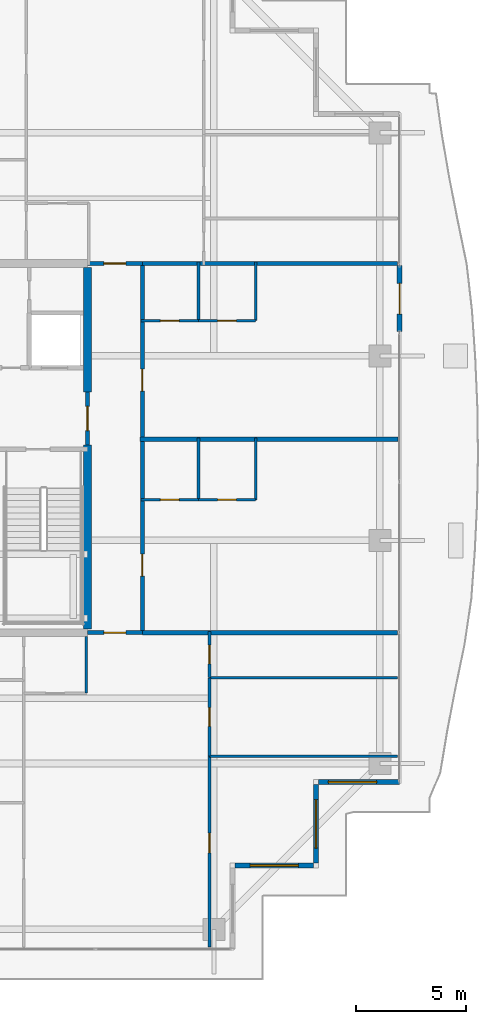
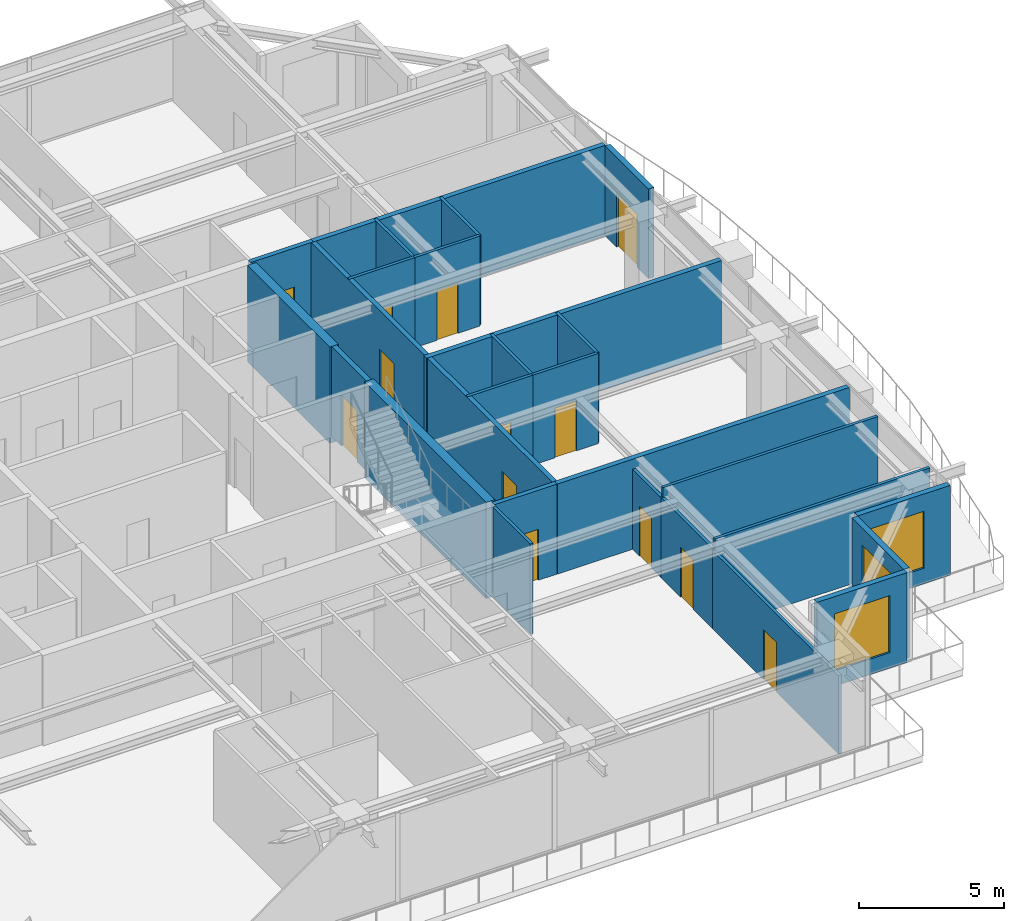
# One storey, part 30 of 39: 27 walls, 13 doors, 3 windows, 16 openings.
"""IFC4 building model written with IfcOpenShell, lengths in metres."""

from ifc_helpers import new_model, si_unit, direction, frame, frame_2d, origin, place, context, subcontext, project, spatial, rectangle, extrude, source, transform, mapped, material, layer, layer_set, type_object, element, fill, save


model = new_model("IFC4")

# Units and contexts
model_context = context("Model", 3, precision=1e-05, world=origin(), true_north=direction((0.0, 1.0)))
body_context = subcontext(model_context, "Body", "Model", "MODEL_VIEW")
ifc_project = project(units=[si_unit("LENGTHUNIT", "METRE"), si_unit("AREAUNIT", "SQUARE_METRE"), si_unit("VOLUMEUNIT", "CUBIC_METRE"), si_unit("PLANEANGLEUNIT", "RADIAN"), si_unit("MASSUNIT", "GRAM", prefix="KILO")], contexts=[model_context])

# Site, building, storey
site_placement = place(None, origin())
site = spatial("IfcSite", under=ifc_project, at=site_placement, CompositionType="ELEMENT")
building_placement = place(site_placement, origin())
building = spatial("IfcBuilding", under=site, at=building_placement, Name="Serunith Strait Residences", CompositionType="ELEMENT")
storey_placement = place(building_placement, frame((0.0, 0.0, 329.89990234375)))
storey = spatial("IfcBuildingStorey", under=building, at=storey_placement, Name="L82", CompositionType="ELEMENT", Elevation=329.89990234375)

# Wall, opening, window
ifc_material_1 = material(Name="Pale-Champagne Aluminium Insulated Panel", Category="aluminium")
ifc_layer_1 = layer(ifc_material_1, 0.219970703125, Name="Pale-Champagne Aluminium Insulated Panel")
ifc_layer_set_1 = layer_set([ifc_layer_1], Name="Pale-Champagne Aluminium Insulated Panel")
wall_type_1 = type_object("IfcWallType", Name="EW-ALUM-220", PredefinedType="ELEMENTEDWALL", material=ifc_layer_set_1)
wall_1_placement = place(storey_placement, frame((48.110107421875, 6.199951171875, 0.0), z_axis=(0.0, 0.0, 1.0), x_axis=(1.0, 0.0, 0.0)))
wall_1 = element("IfcWall", 1, at=wall_1_placement, inside=storey, type_object=wall_type_1, Name="L82 Girih Serrated Corner Wall 03", PredefinedType="ELEMENTEDWALL", context=body_context, shape_type="SweptSolid", body=[
    extrude(rectangle(XDim=3.579833984375, YDim=0.219970703125, at=frame_2d((1.7900390625, 0.0))), origin(), (0.0, 0.0, 1.0), 3.775146484375),
])
opening_1_placement = place(wall_1_placement, frame((0.68994140625, 0.0, 0.64990234375)))
opening_1 = element("IfcOpeningElement", 2, at=opening_1_placement, cuts=wall_1, Name="Opening W-06", PredefinedType="OPENING", context=body_context, shape_type="SweptSolid", body=[
    extrude(rectangle(XDim=2.199951171875, YDim=2.39990234375, at=frame_2d((1.10009765625, 1.199951171875))), frame((0.0, 0.1201171875, 0.0), z_axis=(0.0, -1.0, 0.0), x_axis=(1.0, 0.0, 0.0)), (0.0, 0.0, 1.0), 0.239990234375),
])
ifc_material_2 = material(Name="Crown Penthouse Low-E Operable Window Glass", Category="glass")
window_type = type_object("IfcWindowType", Name="WIN-C6", PartitioningType="TRIPLE_PANEL_VERTICAL", PredefinedType="WINDOW", material=ifc_material_2)
shared_shape_1 = source(origin(), body_context, "Body", "SweptSolid", [
    extrude(rectangle(XDim=2.199951171875, YDim=2.39990234375, at=frame_2d((1.10009765625, 1.199951171875))), frame((0.0, 0.030029296875, 0.0), z_axis=(0.0, -1.0, 0.0), x_axis=(1.0, 0.0, 0.0)), (0.0, 0.0, 1.0), 0.06005859375),
])
window_1_placement = place(opening_1_placement, origin())
window_1 = element("IfcWindow", 3, at=window_1_placement, inside=storey, type_object=window_type, Name="L82 Corner Operable Fritted Window 03", OverallHeight=2.39990234375, OverallWidth=2.199951171875, PartitioningType="SINGLE_PANEL", PredefinedType="WINDOW", context=body_context, shape_type="MappedRepresentation", body=[
    mapped(shared_shape_1, transform((0.0, 0.0, 0.0), scale=1.0)),
])
fill(opening_1, window_1)

wall_2_placement = place(storey_placement, frame((51.800048828125, 6.31005859375, 0.0), z_axis=(0.0, 0.0, 1.0), x_axis=(0.0, 1.0, 0.0)))
wall_2 = element("IfcWall", 4, at=wall_2_placement, inside=storey, type_object=wall_type_1, Name="L82 Girih Serrated Corner Wall 04", PredefinedType="ELEMENTEDWALL", context=body_context, shape_type="SweptSolid", body=[
    extrude(rectangle(XDim=3.579833984375, YDim=0.219970703125, at=frame_2d((1.7900390625, 0.0))), origin(), (0.0, 0.0, 1.0), 3.775146484375),
])
opening_2_placement = place(wall_2_placement, frame((0.68994140625, 0.0, 0.64990234375)))
opening_2 = element("IfcOpeningElement", 5, at=opening_2_placement, cuts=wall_2, Name="Opening W-06", PredefinedType="OPENING", context=body_context, shape_type="SweptSolid", body=[
    extrude(rectangle(XDim=2.199951171875, YDim=2.39990234375, at=frame_2d((1.10009765625, 1.199951171875))), frame((0.0, 0.1201171875, 0.0), z_axis=(0.0, -1.0, 0.0), x_axis=(1.0, 0.0, 0.0)), (0.0, 0.0, 1.0), 0.239990234375),
])
window_2_placement = place(opening_2_placement, origin())
window_2 = element("IfcWindow", 6, at=window_2_placement, inside=storey, type_object=window_type, Name="L82 Corner Operable Fritted Window 04", OverallHeight=2.39990234375, OverallWidth=2.199951171875, PartitioningType="SINGLE_PANEL", PredefinedType="WINDOW", context=body_context, shape_type="MappedRepresentation", body=[
    mapped(shared_shape_1, transform((0.0, 0.0, 0.0), scale=1.0)),
])
fill(opening_2, window_2)

wall_3_placement = place(storey_placement, frame((51.909912109375, 10.0, 0.0), z_axis=(0.0, 0.0, 1.0), x_axis=(1.0, 0.0, 0.0)))
wall_3 = element("IfcWall", 7, at=wall_3_placement, inside=storey, type_object=wall_type_1, Name="L82 Girih Serrated Corner Wall 05", PredefinedType="ELEMENTEDWALL", context=body_context, shape_type="SweptSolid", body=[
    extrude(rectangle(XDim=3.690185546875, YDim=0.219970703125, at=frame_2d((1.84521484375, 0.0))), origin(), (0.0, 0.0, 1.0), 3.775146484375),
])
opening_3_placement = place(wall_3_placement, frame((0.447021484375, 0.0, 0.64990234375)))
opening_3 = element("IfcOpeningElement", 8, at=opening_3_placement, cuts=wall_3, Name="Opening W-06", PredefinedType="OPENING", context=body_context, shape_type="SweptSolid", body=[
    extrude(rectangle(XDim=2.199951171875, YDim=2.39990234375, at=frame_2d((1.10009765625, 1.199951171875))), frame((0.0, 0.1201171875, 0.0), z_axis=(0.0, -1.0, 0.0), x_axis=(1.0, 0.0, 0.0)), (0.0, 0.0, 1.0), 0.239990234375),
])
window_3_placement = place(opening_3_placement, origin())
window_3 = element("IfcWindow", 9, at=window_3_placement, inside=storey, type_object=window_type, Name="L82 Corner Operable Fritted Window 05", OverallHeight=2.39990234375, OverallWidth=2.199951171875, PartitioningType="SINGLE_PANEL", PredefinedType="WINDOW", context=body_context, shape_type="MappedRepresentation", body=[
    mapped(shared_shape_1, transform((0.0, 0.0, 0.0), scale=1.0)),
])
fill(opening_3, window_3)

# Wall, opening, door
wall_4_placement = place(storey_placement, frame((55.60009765625, 30.5, 0.0), z_axis=(0.0, 0.0, 1.0), x_axis=(0.0, 1.0, 0.0)))
wall_4 = element("IfcWall", 10, at=wall_4_placement, inside=storey, type_object=wall_type_1, Name="L82 E Facade Pier Wall", PredefinedType="ELEMENTEDWALL", context=body_context, shape_type="SweptSolid", body=[
    extrude(rectangle(XDim=3.0, YDim=0.219970703125, at=frame_2d((1.5, 0.0))), origin(), (0.0, 0.0, 1.0), 3.775146484375),
])
opening_4_placement = place(wall_4_placement, frame((0.800048828125, 0.0, 0.0)))
opening_4 = element("IfcOpeningElement", 11, at=opening_4_placement, cuts=wall_4, Name="Opening ED-04", PredefinedType="OPENING", context=body_context, shape_type="SweptSolid", body=[
    extrude(rectangle(XDim=1.39990234375, YDim=2.25, at=frame_2d((0.699951171875, 1.125))), frame((0.0, 0.1201171875, 0.0), z_axis=(0.0, -1.0, 0.0), x_axis=(1.0, 0.0, 0.0)), (0.0, 0.0, 1.0), 0.239990234375),
])
ifc_material_3 = material(Name="Thermally-Broken Aluminium Sliding Balcony Door", Category="aluminium")
door_type_1 = type_object("IfcDoorType", Name="ED-BALC-1400", OperationType="NOTDEFINED", PredefinedType="DOOR", material=ifc_material_3)
shared_shape_2 = source(origin(), body_context, "Body", "SweptSolid", [
    extrude(rectangle(XDim=1.39990234375, YDim=2.25, at=frame_2d((0.699951171875, 1.125))), frame((0.0, 0.02490234375, 0.0), z_axis=(0.0, -1.0, 0.0), x_axis=(1.0, 0.0, 0.0)), (0.0, 0.0, 1.0), 0.050048828125),
])
door_1_placement = place(opening_4_placement, origin())
door_1 = element("IfcDoor", 12, at=door_1_placement, inside=storey, type_object=door_type_1, Name="L82 E Vertical-Forest Balcony Door", OperationType="SLIDING_TO_LEFT", OverallHeight=2.25, OverallWidth=1.39990234375, PredefinedType="DOOR", context=body_context, shape_type="MappedRepresentation", body=[
    mapped(shared_shape_2, transform((0.0, 0.0, 0.0), scale=1.0)),
])
fill(opening_4, door_1)

ifc_material_4 = material(Name="Fire-rated acoustic gypsum partition")
ifc_layer_2 = layer(ifc_material_4, 0.179931640625, Name="Fire-rated acoustic gypsum partition")
ifc_layer_set_2 = layer_set([ifc_layer_2], Name="Fire-rated acoustic gypsum partition")
wall_type_2 = type_object("IfcWallType", Name="IW-CORR-180", PredefinedType="PARTITIONING", material=ifc_layer_set_2)
wall_5_placement = place(storey_placement, frame((41.402099609375, 16.800048828125, 0.0), z_axis=(0.0, 0.0, 1.0), x_axis=(1.0, 0.0, 0.0)))
wall_5 = element("IfcWall", 13, at=wall_5_placement, inside=storey, type_object=wall_type_2, Name="L82 Partition Wall 028", PredefinedType="PARTITIONING", context=body_context, shape_type="SweptSolid", body=[
    extrude(rectangle(XDim=2.495849609375, YDim=0.179931640625, at=frame_2d((1.248046875, 0.0))), origin(), (0.0, 0.0, 1.0), 3.7900390625),
])
opening_5_placement = place(wall_5_placement, frame((0.748046875, 0.0, 0.0)))
opening_5 = element("IfcOpeningElement", 14, at=opening_5_placement, cuts=wall_5, Name="Opening D-APT1000", PredefinedType="OPENING", context=body_context, shape_type="SweptSolid", body=[
    extrude(rectangle(XDim=1.0, YDim=2.14990234375, at=frame_2d((0.5, 1.074951171875))), frame((0.0, 0.10009765625, 0.0), z_axis=(0.0, -1.0, 0.0), x_axis=(1.0, 0.0, 0.0)), (0.0, 0.0, 1.0), 0.199951171875),
])
ifc_material_5 = material(Name="Solid timber engineered fire door", Category="wood")
door_type_2 = type_object("IfcDoorType", Name="ID-APT-1000", OperationType="NOTDEFINED", PredefinedType="DOOR", material=ifc_material_5)
shared_shape_3 = source(origin(), body_context, "Body", "SweptSolid", [
    extrude(rectangle(XDim=1.0, YDim=2.14990234375, at=frame_2d((0.5, 1.074951171875))), frame((0.0, 0.02490234375, 0.0), z_axis=(0.0, -1.0, 0.0), x_axis=(1.0, 0.0, 0.0)), (0.0, 0.0, 1.0), 0.050048828125),
])
door_2_placement = place(opening_5_placement, origin())
door_2 = element("IfcDoor", 15, at=door_2_placement, inside=storey, type_object=door_type_2, Name="L82 Unit 01 Entrance Door", OperationType="SINGLE_SWING_RIGHT", OverallHeight=2.14990234375, OverallWidth=1.0, PredefinedType="DOOR", context=body_context, shape_type="MappedRepresentation", body=[
    mapped(shared_shape_3, transform((0.0, 0.0, 0.0), scale=1.0)),
])
fill(opening_5, door_2)

wall_6_placement = place(storey_placement, frame((41.402099609375, 33.60009765625, 0.0), z_axis=(0.0, 0.0, 1.0), x_axis=(1.0, 0.0, 0.0)))
wall_6 = element("IfcWall", 16, at=wall_6_placement, inside=storey, type_object=wall_type_2, Name="L82 Partition Wall 029", PredefinedType="PARTITIONING", context=body_context, shape_type="SweptSolid", body=[
    extrude(rectangle(XDim=2.495849609375, YDim=0.179931640625, at=frame_2d((1.248046875, 0.0))), origin(), (0.0, 0.0, 1.0), 3.7900390625),
])
opening_6_placement = place(wall_6_placement, frame((0.748046875, 0.0, 0.0)))
opening_6 = element("IfcOpeningElement", 17, at=opening_6_placement, cuts=wall_6, Name="Opening D-APT1000", PredefinedType="OPENING", context=body_context, shape_type="SweptSolid", body=[
    extrude(rectangle(XDim=1.0, YDim=2.14990234375, at=frame_2d((0.5, 1.074951171875))), frame((0.0, 0.10009765625, 0.0), z_axis=(0.0, -1.0, 0.0), x_axis=(1.0, 0.0, 0.0)), (0.0, 0.0, 1.0), 0.199951171875),
])
door_3_placement = place(opening_6_placement, origin())
door_3 = element("IfcDoor", 18, at=door_3_placement, inside=storey, type_object=door_type_2, Name="L82 Unit 03 Entrance Door", OperationType="SINGLE_SWING_LEFT", OverallHeight=2.14990234375, OverallWidth=1.0, PredefinedType="DOOR", context=body_context, shape_type="MappedRepresentation", body=[
    mapped(shared_shape_3, transform((0.0, 0.0, 0.0), scale=1.0)),
])
fill(opening_6, door_3)

# Wall, openings, doors
wall_7_placement = place(storey_placement, frame((43.89990234375, 16.800048828125, 0.0), z_axis=(0.0, 0.0, 1.0), x_axis=(0.0, 1.0, 0.0)))
wall_7 = element("IfcWall", 19, at=wall_7_placement, inside=storey, type_object=wall_type_2, Name="L82 Partition Wall 030", PredefinedType="PARTITIONING", context=body_context, shape_type="SweptSolid", body=[
    extrude(rectangle(XDim=16.800048828125, YDim=0.179931640625, at=frame_2d((8.39990234375, 0.0))), origin(), (0.0, 0.0, 1.0), 3.7900390625),
])
opening_7_placement = place(wall_7_placement, frame((2.574951171875, 0.0, 0.0)))
opening_7 = element("IfcOpeningElement", 20, at=opening_7_placement, cuts=wall_7, Name="Opening D-APT1000", PredefinedType="OPENING", context=body_context, shape_type="SweptSolid", body=[
    extrude(rectangle(XDim=1.0, YDim=2.14990234375, at=frame_2d((0.5, 1.074951171875))), frame((0.0, 0.10009765625, 0.0), z_axis=(0.0, -1.0, 0.0), x_axis=(1.0, 0.0, 0.0)), (0.0, 0.0, 1.0), 0.199951171875),
])
opening_8_placement = place(wall_7_placement, frame((10.9970703125, 0.0, 0.0)))
opening_8 = element("IfcOpeningElement", 21, at=opening_8_placement, cuts=wall_7, Name="Opening D-APT1000", PredefinedType="OPENING", context=body_context, shape_type="SweptSolid", body=[
    extrude(rectangle(XDim=1.0, YDim=2.14990234375, at=frame_2d((0.5, 1.074951171875))), frame((0.0, 0.10009765625, 0.0), z_axis=(0.0, -1.0, 0.0), x_axis=(1.0, 0.0, 0.0)), (0.0, 0.0, 1.0), 0.199951171875),
])
door_4_placement = place(opening_7_placement, origin())
door_4 = element("IfcDoor", 22, at=door_4_placement, inside=storey, type_object=door_type_2, Name="L82 Unit 06 Entrance Door", OperationType="SINGLE_SWING_RIGHT", OverallHeight=2.14990234375, OverallWidth=1.0, PredefinedType="DOOR", context=body_context, shape_type="MappedRepresentation", body=[
    mapped(shared_shape_3, transform((0.0, 0.0, 0.0), scale=1.0)),
])
fill(opening_7, door_4)
door_5_placement = place(opening_8_placement, origin())
door_5 = element("IfcDoor", 23, at=door_5_placement, inside=storey, type_object=door_type_2, Name="L82 Unit 07 Entrance Door", OperationType="SINGLE_SWING_LEFT", OverallHeight=2.14990234375, OverallWidth=1.0, PredefinedType="DOOR", context=body_context, shape_type="MappedRepresentation", body=[
    mapped(shared_shape_3, transform((0.0, 0.0, 0.0), scale=1.0)),
])
fill(opening_8, door_5)

# Wall
ifc_material_6 = material(Name="Lightweight steel-stud gypsum partition", Category="steel")
ifc_layer_3 = layer(ifc_material_6, 0.1201171875, Name="Lightweight steel-stud gypsum partition")
ifc_layer_set_3 = layer_set([ifc_layer_3], Name="Lightweight steel-stud gypsum partition")
wall_type_3 = type_object("IfcWallType", Name="IW-PART-120", PredefinedType="PARTITIONING", material=ifc_layer_set_3)
wall_8_placement = place(storey_placement, frame((41.35009765625, 14.050048828125, 0.0), z_axis=(0.0, 0.0, 1.0), x_axis=(0.0, 1.0, 0.0)))
element("IfcWall", 24, at=wall_8_placement, inside=storey, type_object=wall_type_3, Name="L82 Partition Wall 032", PredefinedType="PARTITIONING", context=body_context, shape_type="SweptSolid", body=[
    extrude(rectangle(XDim=2.574951171875, YDim=0.1201171875, at=frame_2d((1.28759765625, 0.0))), origin(), (0.0, 0.0, 1.0), 3.7900390625),
])

# Wall, opening, door
wall_9_placement = place(storey_placement, frame((46.949951171875, 2.4951171875, 0.0), z_axis=(0.0, 0.0, 1.0), x_axis=(0.0, 1.0, 0.0)))
wall_9 = element("IfcWall", 25, at=wall_9_placement, inside=storey, type_object=wall_type_3, Name="L82 Partition Wall 048", PredefinedType="PARTITIONING", context=body_context, shape_type="SweptSolid", body=[
    extrude(rectangle(XDim=8.68798828125, YDim=0.1201171875, at=frame_2d((4.343994140625, 0.0))), origin(), (0.0, 0.0, 1.0), 3.2919921875),
])
opening_9_placement = place(wall_9_placement, frame((4.282958984375, 0.0, 0.0)))
opening_9 = element("IfcOpeningElement", 26, at=opening_9_placement, cuts=wall_9, Name="Opening D-RM900", PredefinedType="OPENING", context=body_context, shape_type="SweptSolid", body=[
    extrude(rectangle(XDim=0.89990234375, YDim=2.10009765625, at=frame_2d((0.449951171875, 1.050048828125))), frame((0.0, 0.070068359375, 0.0), z_axis=(0.0, -1.0, 0.0), x_axis=(1.0, 0.0, 0.0)), (0.0, 0.0, 1.0), 0.14013671875),
])
ifc_material_7 = material(Name="Engineered timber flush bedroom door", Category="wood")
door_type_3 = type_object("IfcDoorType", Name="ID-ROOM-900", OperationType="NOTDEFINED", PredefinedType="DOOR", material=ifc_material_7)
shared_shape_4 = source(origin(), body_context, "Body", "SweptSolid", [
    extrude(rectangle(XDim=0.89990234375, YDim=2.10009765625, at=frame_2d((0.449951171875, 1.050048828125))), frame((0.0, 0.02490234375, 0.0), z_axis=(0.0, -1.0, 0.0), x_axis=(1.0, 0.0, 0.0)), (0.0, 0.0, 1.0), 0.050048828125),
])
door_6_placement = place(opening_9_placement, origin())
door_6 = element("IfcDoor", 27, at=door_6_placement, inside=storey, type_object=door_type_3, Name="L82 Bedroom 3 8201 Door", OperationType="SINGLE_SWING_RIGHT", OverallHeight=2.10009765625, OverallWidth=0.89990234375, PredefinedType="DOOR", context=body_context, shape_type="MappedRepresentation", body=[
    mapped(shared_shape_4, transform((0.0, 0.0, 0.0), scale=1.0)),
])
fill(opening_9, door_6)

# Walls
for number, where, z_axis, x_axis, name in (
    (28, (46.949951171875, 11.18310546875, 0.0), (0.0, 0.0, 1.0), (1.0, 0.0, 0.0), "L82 Partition Wall 049"),
    (29, (46.949951171875, 14.75, 0.0), (0.0, 0.0, 1.0), (1.0, 0.0, 0.0), "L82 Partition Wall 050"),
):
    element("IfcWall", number, at=place(storey_placement, frame(where, z_axis=z_axis, x_axis=x_axis)), inside=storey, type_object=wall_type_3, Name=name, PredefinedType="PARTITIONING", context=body_context, shape_type="SweptSolid", body=[
        extrude(rectangle(XDim=8.554931640625, YDim=0.1201171875, at=frame_2d((4.27734375, 0.0))), origin(), (0.0, 0.0, 1.0), 3.7900390625),
    ])

# Wall, opening, door
wall_10_placement = place(storey_placement, frame((46.949951171875, 11.18505859375, 0.0), z_axis=(0.0, 0.0, 1.0), x_axis=(0.0, 1.0, 0.0)))
wall_10 = element("IfcWall", 30, at=wall_10_placement, inside=storey, type_object=wall_type_3, Name="L82 Partition Wall 051", PredefinedType="PARTITIONING", context=body_context, shape_type="SweptSolid", body=[
    extrude(rectangle(XDim=3.56494140625, YDim=0.1201171875, at=frame_2d((1.782470703125, 0.0))), origin(), (0.0, 0.0, 1.0), 3.3720703125),
])
opening_10_placement = place(wall_10_placement, frame((1.35693359375, 0.0, 0.0)))
opening_10 = element("IfcOpeningElement", 31, at=opening_10_placement, cuts=wall_10, Name="Opening D-RM850", PredefinedType="OPENING", context=body_context, shape_type="SweptSolid", body=[
    extrude(rectangle(XDim=0.85009765625, YDim=2.10009765625, at=frame_2d((0.425048828125, 1.050048828125))), frame((0.0, 0.070068359375, 0.0), z_axis=(0.0, -1.0, 0.0), x_axis=(1.0, 0.0, 0.0)), (0.0, 0.0, 1.0), 0.14013671875),
])
ifc_material_8 = material(Name="Engineered timber flush study and kitchen door", Category="wood")
door_type_4 = type_object("IfcDoorType", Name="ID-ROOM-850", OperationType="NOTDEFINED", PredefinedType="DOOR", material=ifc_material_8)
shared_shape_5 = source(origin(), body_context, "Body", "SweptSolid", [
    extrude(rectangle(XDim=0.85009765625, YDim=2.10009765625, at=frame_2d((0.425048828125, 1.050048828125))), frame((0.0, 0.02490234375, 0.0), z_axis=(0.0, -1.0, 0.0), x_axis=(1.0, 0.0, 0.0)), (0.0, 0.0, 1.0), 0.050048828125),
])
door_7_placement = place(opening_10_placement, origin())
door_7 = element("IfcDoor", 32, at=door_7_placement, inside=storey, type_object=door_type_4, Name="L82 Walk-in Wardrobe 8201 Door", OperationType="SINGLE_SWING_LEFT", OverallHeight=2.10009765625, OverallWidth=0.85009765625, PredefinedType="DOOR", context=body_context, shape_type="MappedRepresentation", body=[
    mapped(shared_shape_5, transform((0.0, 0.0, 0.0), scale=1.0)),
])
fill(opening_10, door_7)

wall_11_placement = place(storey_placement, frame((46.949951171875, 14.751953125, 0.0), z_axis=(0.0, 0.0, 1.0), x_axis=(0.0, 1.0, 0.0)))
wall_11 = element("IfcWall", 33, at=wall_11_placement, inside=storey, type_object=wall_type_3, Name="L82 Partition Wall 052", PredefinedType="PARTITIONING", context=body_context, shape_type="SweptSolid", body=[
    extrude(rectangle(XDim=2.108154296875, YDim=0.1201171875, at=frame_2d((1.05419921875, 0.0))), origin(), (0.0, 0.0, 1.0), 3.3720703125),
])
opening_11_placement = place(wall_11_placement, frame((0.62890625, 0.0, 0.0)))
opening_11 = element("IfcOpeningElement", 34, at=opening_11_placement, cuts=wall_11, Name="Opening D-BTH850", PredefinedType="OPENING", context=body_context, shape_type="SweptSolid", body=[
    extrude(rectangle(XDim=0.85009765625, YDim=2.10009765625, at=frame_2d((0.425048828125, 1.050048828125))), frame((0.0, 0.070068359375, 0.0), z_axis=(0.0, -1.0, 0.0), x_axis=(1.0, 0.0, 0.0)), (0.0, 0.0, 1.0), 0.14013671875),
])
ifc_material_9 = material(Name="Moisture-resistant timber bathroom door", Category="wood")
door_type_5 = type_object("IfcDoorType", Name="ID-BATH-850", OperationType="NOTDEFINED", PredefinedType="DOOR", material=ifc_material_9)
door_8_placement = place(opening_11_placement, origin())
door_8 = element("IfcDoor", 35, at=door_8_placement, inside=storey, type_object=door_type_5, Name="L82 Bathroom 8201 Door", OperationType="SINGLE_SWING_RIGHT", OverallHeight=2.10009765625, OverallWidth=0.85009765625, PredefinedType="DOOR", context=body_context, shape_type="MappedRepresentation", body=[
    mapped(shared_shape_5, transform((0.0, 0.0, 0.0), scale=1.0)),
])
fill(opening_11, door_8)

wall_12_placement = place(storey_placement, frame((49.050048828125, 22.85009765625, 0.0), z_axis=(0.0, 0.0, 1.0), x_axis=(-1.0, 0.0, 0.0)))
wall_12 = element("IfcWall", 36, at=wall_12_placement, inside=storey, type_object=wall_type_3, Name="L82 Partition Wall 083", PredefinedType="PARTITIONING", context=body_context, shape_type="SweptSolid", body=[
    extrude(rectangle(XDim=2.60009765625, YDim=0.1201171875, at=frame_2d((1.300048828125, 0.0))), origin(), (0.0, 0.0, 1.0), 3.7900390625),
])
opening_12_placement = place(wall_12_placement, frame((0.875, 0.0, 0.0)))
opening_12 = element("IfcOpeningElement", 37, at=opening_12_placement, cuts=wall_12, Name="Opening D-RM850", PredefinedType="OPENING", context=body_context, shape_type="SweptSolid", body=[
    extrude(rectangle(XDim=0.85009765625, YDim=2.10009765625, at=frame_2d((0.425048828125, 1.050048828125))), frame((0.0, 0.070068359375, 0.0), z_axis=(0.0, -1.0, 0.0), x_axis=(1.0, 0.0, 0.0)), (0.0, 0.0, 1.0), 0.14013671875),
])
door_9_placement = place(opening_12_placement, origin())
door_9 = element("IfcDoor", 38, at=door_9_placement, inside=storey, type_object=door_type_4, Name="L82 Kitchen 8206 Door", OperationType="SINGLE_SWING_RIGHT", OverallHeight=2.10009765625, OverallWidth=0.85009765625, PredefinedType="DOOR", context=body_context, shape_type="MappedRepresentation", body=[
    mapped(shared_shape_5, transform((0.0, 0.0, 0.0), scale=1.0)),
])
fill(opening_12, door_9)

wall_13_placement = place(storey_placement, frame((46.447998046875, 22.85009765625, 0.0), z_axis=(0.0, 0.0, 1.0), x_axis=(-1.0, 0.0, 0.0)))
wall_13 = element("IfcWall", 39, at=wall_13_placement, inside=storey, type_object=wall_type_3, Name="L82 Partition Wall 084", PredefinedType="PARTITIONING", context=body_context, shape_type="SweptSolid", body=[
    extrude(rectangle(XDim=2.60791015625, YDim=0.1201171875, at=frame_2d((1.303955078125, 0.0))), origin(), (0.0, 0.0, 1.0), 3.7900390625),
])
opening_13_placement = place(wall_13_placement, frame((0.87890625, 0.0, 0.0)))
opening_13 = element("IfcOpeningElement", 40, at=opening_13_placement, cuts=wall_13, Name="Opening D-BTH850", PredefinedType="OPENING", context=body_context, shape_type="SweptSolid", body=[
    extrude(rectangle(XDim=0.85009765625, YDim=2.10009765625, at=frame_2d((0.425048828125, 1.050048828125))), frame((0.0, 0.070068359375, 0.0), z_axis=(0.0, -1.0, 0.0), x_axis=(1.0, 0.0, 0.0)), (0.0, 0.0, 1.0), 0.14013671875),
])
door_10_placement = place(opening_13_placement, origin())
door_10 = element("IfcDoor", 41, at=door_10_placement, inside=storey, type_object=door_type_5, Name="L82 Bathroom 8206 Door", OperationType="SINGLE_SWING_LEFT", OverallHeight=2.10009765625, OverallWidth=0.85009765625, PredefinedType="DOOR", context=body_context, shape_type="MappedRepresentation", body=[
    mapped(shared_shape_5, transform((0.0, 0.0, 0.0), scale=1.0)),
])
fill(opening_13, door_10)

# Walls
for number, where, z_axis, x_axis, name in (
    (42, (46.449951171875, 22.85009765625, 0.0), (0.0, 0.0, 1.0), (0.0, 1.0, 0.0), "L82 Partition Wall 085"),
    (43, (49.050048828125, 22.85009765625, 0.0), (0.0, 0.0, 1.0), (0.0, 1.0, 0.0), "L82 Partition Wall 086"),
):
    element("IfcWall", number, at=place(storey_placement, frame(where, z_axis=z_axis, x_axis=x_axis)), inside=storey, type_object=wall_type_3, Name=name, PredefinedType="PARTITIONING", context=body_context, shape_type="SweptSolid", body=[
        extrude(rectangle(XDim=2.809814453125, YDim=0.1201171875, at=frame_2d((1.40478515625, 0.0))), origin(), (0.0, 0.0, 1.0), 3.7900390625),
    ])

# Wall, opening, door
wall_14_placement = place(storey_placement, frame((49.050048828125, 31.0, 0.0), z_axis=(0.0, 0.0, 1.0), x_axis=(-1.0, 0.0, 0.0)))
wall_14 = element("IfcWall", 44, at=wall_14_placement, inside=storey, type_object=wall_type_3, Name="L82 Partition Wall 087", PredefinedType="PARTITIONING", context=body_context, shape_type="SweptSolid", body=[
    extrude(rectangle(XDim=2.60009765625, YDim=0.1201171875, at=frame_2d((1.300048828125, 0.0))), origin(), (0.0, 0.0, 1.0), 3.7900390625),
])
opening_14_placement = place(wall_14_placement, frame((0.875, 0.0, 0.0)))
opening_14 = element("IfcOpeningElement", 45, at=opening_14_placement, cuts=wall_14, Name="Opening D-RM850", PredefinedType="OPENING", context=body_context, shape_type="SweptSolid", body=[
    extrude(rectangle(XDim=0.85009765625, YDim=2.10009765625, at=frame_2d((0.425048828125, 1.050048828125))), frame((0.0, 0.070068359375, 0.0), z_axis=(0.0, -1.0, 0.0), x_axis=(1.0, 0.0, 0.0)), (0.0, 0.0, 1.0), 0.14013671875),
])
door_11_placement = place(opening_14_placement, origin())
door_11 = element("IfcDoor", 46, at=door_11_placement, inside=storey, type_object=door_type_4, Name="L82 Kitchen 8207 Door", OperationType="SINGLE_SWING_RIGHT", OverallHeight=2.10009765625, OverallWidth=0.85009765625, PredefinedType="DOOR", context=body_context, shape_type="MappedRepresentation", body=[
    mapped(shared_shape_5, transform((0.0, 0.0, 0.0), scale=1.0)),
])
fill(opening_14, door_11)

wall_15_placement = place(storey_placement, frame((46.447998046875, 31.0, 0.0), z_axis=(0.0, 0.0, 1.0), x_axis=(-1.0, 0.0, 0.0)))
wall_15 = element("IfcWall", 47, at=wall_15_placement, inside=storey, type_object=wall_type_3, Name="L82 Partition Wall 088", PredefinedType="PARTITIONING", context=body_context, shape_type="SweptSolid", body=[
    extrude(rectangle(XDim=2.60791015625, YDim=0.1201171875, at=frame_2d((1.303955078125, 0.0))), origin(), (0.0, 0.0, 1.0), 3.7900390625),
])
opening_15_placement = place(wall_15_placement, frame((0.87890625, 0.0, 0.0)))
opening_15 = element("IfcOpeningElement", 48, at=opening_15_placement, cuts=wall_15, Name="Opening D-BTH850", PredefinedType="OPENING", context=body_context, shape_type="SweptSolid", body=[
    extrude(rectangle(XDim=0.85009765625, YDim=2.10009765625, at=frame_2d((0.425048828125, 1.050048828125))), frame((0.0, 0.070068359375, 0.0), z_axis=(0.0, -1.0, 0.0), x_axis=(1.0, 0.0, 0.0)), (0.0, 0.0, 1.0), 0.14013671875),
])
door_12_placement = place(opening_15_placement, origin())
door_12 = element("IfcDoor", 49, at=door_12_placement, inside=storey, type_object=door_type_5, Name="L82 Bathroom 8207 Door", OperationType="SINGLE_SWING_LEFT", OverallHeight=2.10009765625, OverallWidth=0.85009765625, PredefinedType="DOOR", context=body_context, shape_type="MappedRepresentation", body=[
    mapped(shared_shape_5, transform((0.0, 0.0, 0.0), scale=1.0)),
])
fill(opening_15, door_12)

# Walls
for number, where, z_axis, x_axis, name in (
    (50, (46.449951171875, 31.0, 0.0), (0.0, 0.0, 1.0), (0.0, 1.0, 0.0), "L82 Partition Wall 089"),
    (51, (49.050048828125, 31.0, 0.0), (0.0, 0.0, 1.0), (0.0, 1.0, 0.0), "L82 Partition Wall 090"),
):
    element("IfcWall", number, at=place(storey_placement, frame(where, z_axis=z_axis, x_axis=x_axis)), inside=storey, type_object=wall_type_3, Name=name, PredefinedType="PARTITIONING", context=body_context, shape_type="SweptSolid", body=[
        extrude(rectangle(XDim=2.659912109375, YDim=0.1201171875, at=frame_2d((1.330078125, 0.0))), origin(), (0.0, 0.0, 1.0), 3.7900390625),
    ])
ifc_material_10 = material(Name="Twin-stud acoustic gypsum board partition")
ifc_layer_4 = layer(ifc_material_10, 0.199951171875, Name="Twin-stud acoustic gypsum board partition")
ifc_layer_set_4 = layer_set([ifc_layer_4], Name="Twin-stud acoustic gypsum board partition")
wall_type_4 = type_object("IfcWallType", Name="IW-PARTY-200", PredefinedType="PARTITIONING", material=ifc_layer_set_4)
wall_16_placement = place(storey_placement, frame((43.780029296875, 25.60009765625, 0.0), z_axis=(0.0, 0.0, 1.0), x_axis=(1.0, 0.0, 0.0)))
element("IfcWall", 52, at=wall_16_placement, inside=storey, type_object=wall_type_4, Name="L82 Partition Wall 020", PredefinedType="PARTITIONING", context=body_context, shape_type="SweptSolid", body=[
    extrude(rectangle(XDim=11.738037109375, YDim=0.199951171875, at=frame_2d((5.869140625, 0.0))), origin(), (0.0, 0.0, 1.0), 3.7900390625),
])
for number, where, z_axis, x_axis, name in (
    (53, (43.89990234375, 16.800048828125, 0.0), (0.0, 0.0, 1.0), (1.0, 0.0, 0.0), "L82 Partition Wall 022"),
    (54, (43.89990234375, 33.60009765625, 0.0), (0.0, 0.0, 1.0), (1.0, 0.0, 0.0), "L82 Partition Wall 024"),
):
    element("IfcWall", number, at=place(storey_placement, frame(where, z_axis=z_axis, x_axis=x_axis)), inside=storey, type_object=wall_type_4, Name=name, PredefinedType="PARTITIONING", context=body_context, shape_type="SweptSolid", body=[
        extrude(rectangle(XDim=11.6181640625, YDim=0.199951171875, at=frame_2d((5.80908203125, 0.0))), origin(), (0.0, 0.0, 1.0), 3.7900390625),
    ])

# Wall, opening, door
ifc_material_11 = material(Name="Autoclaved aerated concrete blockwork", Category="masonry")
ifc_layer_5 = layer(ifc_material_11, 0.199951171875, Name="Autoclaved aerated concrete blockwork")
ifc_layer_set_5 = layer_set([ifc_layer_5], Name="Autoclaved aerated concrete blockwork")
wall_type_5 = type_object("IfcWallType", Name="IW-SHAFT-200", PredefinedType="STANDARD", material=ifc_layer_set_5)
wall_17_placement = place(storey_placement, frame((41.39990234375, 25.35205078125, 0.0), z_axis=(0.0, 0.0, 1.0), x_axis=(0.0, 1.0, 0.0)))
wall_17 = element("IfcWall", 55, at=wall_17_placement, inside=storey, type_object=wall_type_5, Name="L82 Partition Wall 008", PredefinedType="STANDARD", context=body_context, shape_type="SweptSolid", body=[
    extrude(rectangle(XDim=2.39599609375, YDim=0.199951171875, at=frame_2d((1.197998046875, 0.0))), origin(), (0.0, 0.0, 1.0), 3.7900390625),
])
opening_16_placement = place(wall_17_placement, frame((0.64794921875, 0.0, 0.0)))
opening_16 = element("IfcOpeningElement", 56, at=opening_16_placement, cuts=wall_17, Name="Opening FD-FFL", PredefinedType="OPENING", context=body_context, shape_type="SweptSolid", body=[
    extrude(rectangle(XDim=1.10009765625, YDim=2.14990234375, at=frame_2d((0.550048828125, 1.074951171875))), frame((0.0, 0.10986328125, 0.0), z_axis=(0.0, -1.0, 0.0), x_axis=(1.0, 0.0, 0.0)), (0.0, 0.0, 1.0), 0.219970703125),
])
ifc_material_12 = material(Name="Glazed steel smoke-lobby fire door", Category="steel")
door_type_6 = type_object("IfcDoorType", Name="FD-FFL-1100", OperationType="NOTDEFINED", PredefinedType="DOOR", material=ifc_material_12)
shared_shape_6 = source(origin(), body_context, "Body", "SweptSolid", [
    extrude(rectangle(XDim=1.10009765625, YDim=2.14990234375, at=frame_2d((0.550048828125, 1.074951171875))), frame((0.0, 0.02490234375, 0.0), z_axis=(0.0, -1.0, 0.0), x_axis=(1.0, 0.0, 0.0)), (0.0, 0.0, 1.0), 0.050048828125),
])
door_13_placement = place(opening_16_placement, origin())
door_13 = element("IfcDoor", 57, at=door_13_placement, inside=storey, type_object=door_type_6, Name="L82 FFL-2 Corridor Fire Door", OperationType="SINGLE_SWING_RIGHT", OverallHeight=2.14990234375, OverallWidth=1.10009765625, PredefinedType="DOOR", context=body_context, shape_type="MappedRepresentation", body=[
    mapped(shared_shape_6, transform((0.0, 0.0, 0.0), scale=1.0)),
])
fill(opening_16, door_13)

# Walls
ifc_material_13 = material(Name="Concrete C60/75", Category="concrete")
ifc_layer_6 = layer(ifc_material_13, 0.35009765625, Name="Concrete C60/75")
ifc_layer_set_6 = layer_set([ifc_layer_6], Name="Concrete C60/75")
wall_type_6 = type_object("IfcWallType", Name="SW-350-C60", PredefinedType="SHEAR", material=ifc_layer_set_6)
wall_18_placement = place(storey_placement, frame((41.39990234375, 16.97509765625, -0.260009765625), z_axis=(0.0, 0.0, 1.0), x_axis=(0.0, 1.0, 0.0)))
element("IfcWall", 58, at=wall_18_placement, inside=storey, type_object=wall_type_6, Name="L82 Core East Shear Wall South Pier", PredefinedType="SHEAR", context=body_context, shape_type="SweptSolid", body=[
    extrude(rectangle(XDim=8.375, YDim=0.35009765625, at=frame_2d((4.1875, 0.0))), origin(), (0.0, 0.0, 1.0), 4.048095703125),
])
wall_19_placement = place(storey_placement, frame((41.39990234375, 27.75, -0.260009765625), z_axis=(0.0, 0.0, 1.0), x_axis=(0.0, 1.0, 0.0)))
element("IfcWall", 59, at=wall_19_placement, inside=storey, type_object=wall_type_6, Name="L82 Core East Shear Wall North Pier", PredefinedType="SHEAR", context=body_context, shape_type="SweptSolid", body=[
    extrude(rectangle(XDim=5.675048828125, YDim=0.35009765625, at=frame_2d((2.83740234375, 0.0))), origin(), (0.0, 0.0, 1.0), 4.048095703125),
])

save(model, "model.ifc")
